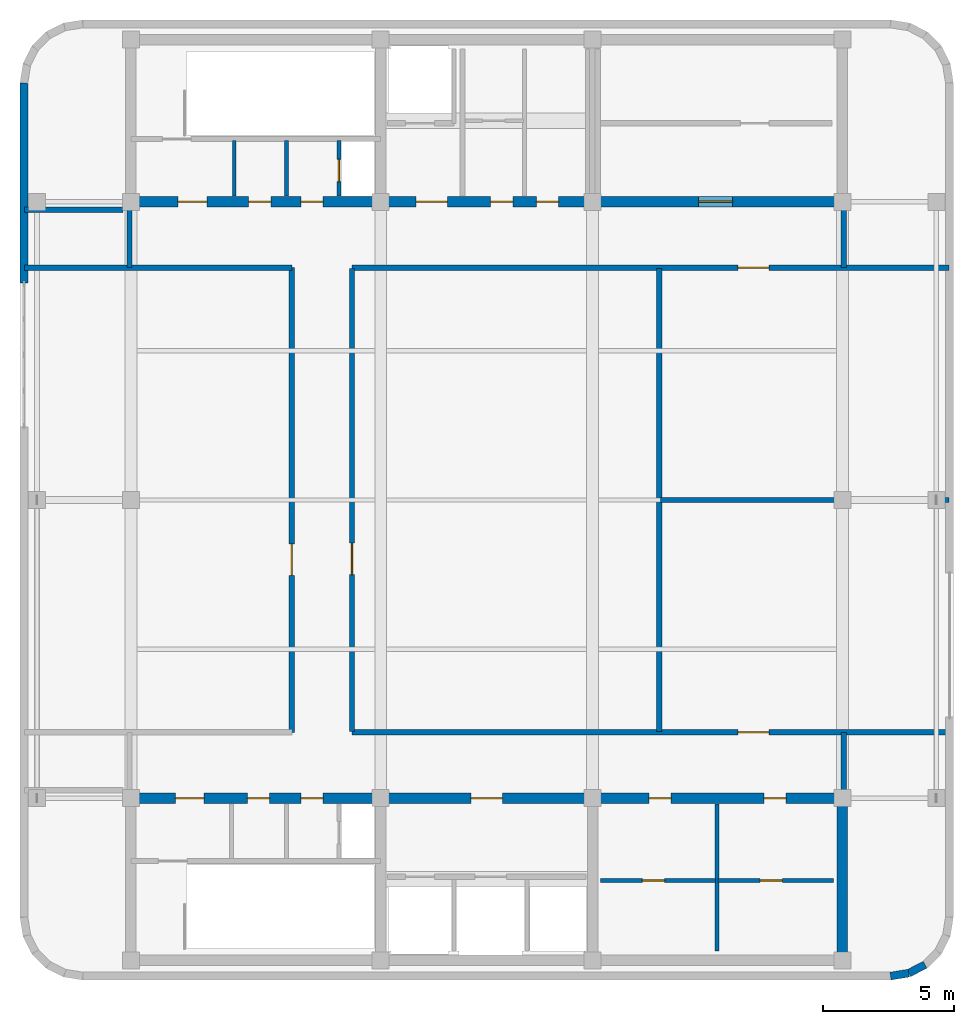
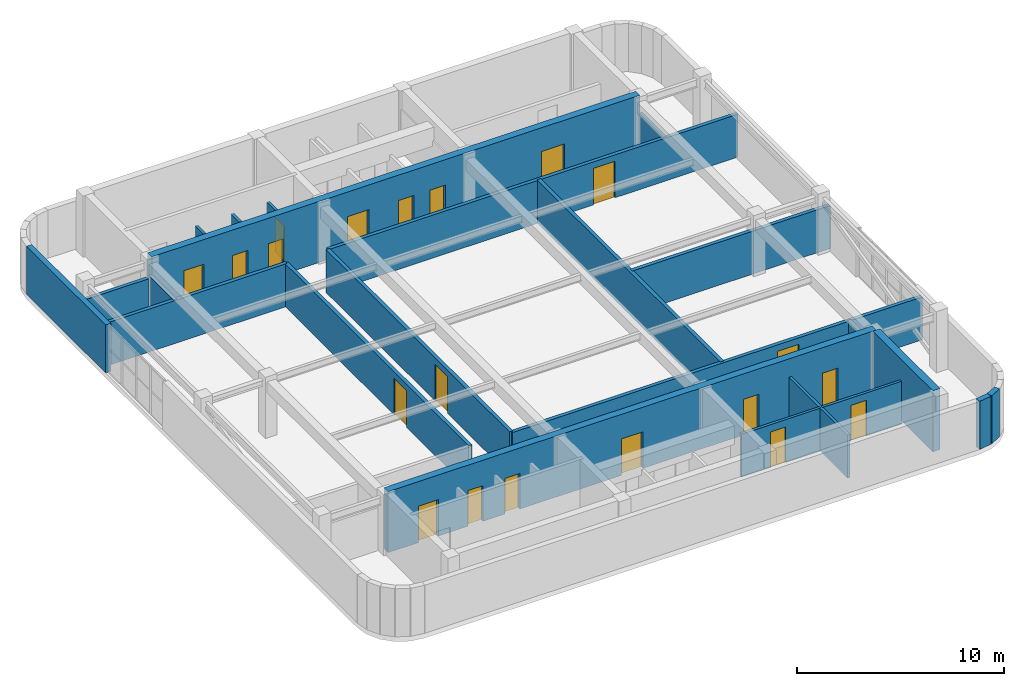
# One storey, part 5 of 9: 23 walls, 20 doors, 20 openings.
"""IFC4 building model written with IfcOpenShell, lengths in metres."""

from ifc_helpers import new_model, si_unit, direction, frame, frame_2d, origin, place, context, subcontext, project, spatial, rectangle, extrude, material, layer, layer_set, type_object, element, fill, save


model = new_model("IFC4")

# Units and contexts
model_context = context("Model", 3, precision=1e-05, world=origin(), true_north=direction((0.0, 1.0)))
body_context = subcontext(model_context, "Body", "Model", "MODEL_VIEW")
ifc_project = project(units=[si_unit("LENGTHUNIT", "METRE"), si_unit("AREAUNIT", "SQUARE_METRE"), si_unit("VOLUMEUNIT", "CUBIC_METRE"), si_unit("PLANEANGLEUNIT", "RADIAN"), si_unit("MASSUNIT", "GRAM", prefix="KILO")], contexts=[model_context])

# Site, building, storey
site_placement = place(None, origin())
site = spatial("IfcSite", under=ifc_project, at=site_placement, CompositionType="ELEMENT")
building_placement = place(site_placement, origin())
building = spatial("IfcBuilding", under=site, at=building_placement, Name="Svetorya Sky Lyceum", CompositionType="ELEMENT")
storey_placement = place(building_placement, frame((0.0, 0.0, 320.0)))
storey = spatial("IfcBuildingStorey", under=building, at=storey_placement, Name="C06", CompositionType="ELEMENT", Elevation=320.0)

# Wall
ifc_material_1 = material(Name="Concrete C40/50", Category="concrete")
ifc_layer_1 = layer(ifc_material_1, 0.39990234375)
ifc_layer_set_1 = layer_set([ifc_layer_1], Name="Concrete C40/50")
wall_type_1 = type_object("IfcWallType", Name="WL-CORE-400", PredefinedType="SHEAR", material=ifc_layer_set_1)
wall_1_placement = place(storey_placement, frame((52.800048828125, 10.800048828125, 0.0), z_axis=(0.0, 0.0, 1.0), x_axis=(0.0, 1.0, 0.0)))
element("IfcWall", 1, at=wall_1_placement, inside=storey, type_object=wall_type_1, Name="C06 SC East Core Shear Wall", PredefinedType="SHEAR", context=body_context, shape_type="SweptSolid", body=[
    extrude(rectangle(XDim=5.800048828125, YDim=0.39990234375, at=frame_2d((2.89990234375, 0.0))), origin(), (0.0, 0.0, 1.0), 3.60009765625),
])

# Wall, openings, doors
wall_2_placement = place(storey_placement, frame((25.60009765625, 16.800048828125, 0.0), z_axis=(0.0, 0.0, 1.0), x_axis=(1.0, 0.0, 0.0)))
wall_2 = element("IfcWall", 2, at=wall_2_placement, inside=storey, type_object=wall_type_1, Name="C06 SC Inner Core Shear Wall", PredefinedType="SHEAR", context=body_context, shape_type="SweptSolid", body=[
    extrude(rectangle(XDim=27.199951171875, YDim=0.39990234375, at=frame_2d((13.60009765625, 0.0))), origin(), (0.0, 0.0, 1.0), 3.60009765625),
])
opening_1_placement = place(wall_2_placement, frame((1.699951171875, 0.0, 0.0)))
opening_1 = element("IfcOpeningElement", 3, at=opening_1_placement, cuts=wall_2, Name="Opening D-ST1", PredefinedType="OPENING", context=body_context, shape_type="SweptSolid", body=[
    extrude(rectangle(XDim=1.10009765625, YDim=2.14990234375, at=frame_2d((0.550048828125, 1.074951171875))), frame((0.0, 0.2099609375, 0.0), z_axis=(0.0, -1.0, 0.0), x_axis=(1.0, 0.0, 0.0)), (0.0, 0.0, 1.0), 0.419921875),
])
opening_2_placement = place(wall_2_placement, frame((4.449951171875, 0.0, 0.0)))
opening_2 = element("IfcOpeningElement", 4, at=opening_2_placement, cuts=wall_2, Name="Opening D-CWC1", PredefinedType="OPENING", context=body_context, shape_type="SweptSolid", body=[
    extrude(rectangle(XDim=0.85009765625, YDim=2.10009765625, at=frame_2d((0.425048828125, 1.050048828125))), frame((0.0, 0.2099609375, 0.0), z_axis=(0.0, -1.0, 0.0), x_axis=(1.0, 0.0, 0.0)), (0.0, 0.0, 1.0), 0.419921875),
])
opening_3_placement = place(wall_2_placement, frame((6.5, 0.0, 0.0)))
opening_3 = element("IfcOpeningElement", 5, at=opening_3_placement, cuts=wall_2, Name="Opening D-CWC1", PredefinedType="OPENING", context=body_context, shape_type="SweptSolid", body=[
    extrude(rectangle(XDim=0.85009765625, YDim=2.10009765625, at=frame_2d((0.425048828125, 1.050048828125))), frame((0.0, 0.2099609375, 0.0), z_axis=(0.0, -1.0, 0.0), x_axis=(1.0, 0.0, 0.0)), (0.0, 0.0, 1.0), 0.419921875),
])
opening_4_placement = place(wall_2_placement, frame((13.0, 0.0, 0.0)))
opening_4 = element("IfcOpeningElement", 6, at=opening_4_placement, cuts=wall_2, Name="Opening D-FL1", PredefinedType="OPENING", context=body_context, shape_type="SweptSolid", body=[
    extrude(rectangle(XDim=1.199951171875, YDim=2.14990234375, at=frame_2d((0.60009765625, 1.074951171875))), frame((0.0, 0.2099609375, 0.0), z_axis=(0.0, -1.0, 0.0), x_axis=(1.0, 0.0, 0.0)), (0.0, 0.0, 1.0), 0.419921875),
])
opening_5_placement = place(wall_2_placement, frame((19.800048828125, 0.0, 0.0)))
opening_5 = element("IfcOpeningElement", 7, at=opening_5_placement, cuts=wall_2, Name="Opening D-CWC1", PredefinedType="OPENING", context=body_context, shape_type="SweptSolid", body=[
    extrude(rectangle(XDim=0.85009765625, YDim=2.10009765625, at=frame_2d((0.425048828125, 1.050048828125))), frame((0.0, 0.2099609375, 0.0), z_axis=(0.0, -1.0, 0.0), x_axis=(1.0, 0.0, 0.0)), (0.0, 0.0, 1.0), 0.419921875),
])
opening_6_placement = place(wall_2_placement, frame((24.199951171875, 0.0, 0.0)))
opening_6 = element("IfcOpeningElement", 8, at=opening_6_placement, cuts=wall_2, Name="Opening D-CWC1", PredefinedType="OPENING", context=body_context, shape_type="SweptSolid", body=[
    extrude(rectangle(XDim=0.85009765625, YDim=2.10009765625, at=frame_2d((0.425048828125, 1.050048828125))), frame((0.0, 0.2099609375, 0.0), z_axis=(0.0, -1.0, 0.0), x_axis=(1.0, 0.0, 0.0)), (0.0, 0.0, 1.0), 0.419921875),
])
ifc_material_2 = material(Name="Fire-rated galvanized steel core service closet door", Category="steel")
door_type_1 = type_object("IfcDoorType", Name="DR-CWET-850", OperationType="SINGLE_SWING_LEFT", PredefinedType="DOOR", material=ifc_material_2)
door_1_placement = place(opening_2_placement, origin())
door_1 = element("IfcDoor", 9, at=door_1_placement, inside=storey, type_object=door_type_1, Name="C06 South Mop Closet Door", OperationType="SINGLE_SWING_LEFT", OverallHeight=2.10009765625, OverallWidth=0.85009765625, PredefinedType="DOOR", context=body_context, shape_type="SweptSolid", body=[
    extrude(rectangle(XDim=0.85009765625, YDim=2.10009765625, at=frame_2d((0.425048828125, 1.050048828125))), frame((0.0, 0.02490234375, 0.0), z_axis=(0.0, -1.0, 0.0), x_axis=(1.0, 0.0, 0.0)), (0.0, 0.0, 1.0), 0.050048828125),
])
fill(opening_2, door_1)
door_2_placement = place(opening_3_placement, origin())
door_2 = element("IfcDoor", 10, at=door_2_placement, inside=storey, type_object=door_type_1, Name="C06 South West WC Door", OperationType="SINGLE_SWING_RIGHT", OverallHeight=2.10009765625, OverallWidth=0.85009765625, PredefinedType="DOOR", context=body_context, shape_type="SweptSolid", body=[
    extrude(rectangle(XDim=0.85009765625, YDim=2.10009765625, at=frame_2d((0.425048828125, 1.050048828125))), frame((0.0, 0.02490234375, 0.0), z_axis=(0.0, -1.0, 0.0), x_axis=(1.0, 0.0, 0.0)), (0.0, 0.0, 1.0), 0.050048828125),
])
fill(opening_3, door_2)
door_3_placement = place(opening_5_placement, origin())
door_3 = element("IfcDoor", 11, at=door_3_placement, inside=storey, type_object=door_type_1, Name="C06 Housekeeping Door", OperationType="SINGLE_SWING_LEFT", OverallHeight=2.10009765625, OverallWidth=0.85009765625, PredefinedType="DOOR", context=body_context, shape_type="SweptSolid", body=[
    extrude(rectangle(XDim=0.85009765625, YDim=2.10009765625, at=frame_2d((0.425048828125, 1.050048828125))), frame((0.0, 0.02490234375, 0.0), z_axis=(0.0, -1.0, 0.0), x_axis=(1.0, 0.0, 0.0)), (0.0, 0.0, 1.0), 0.050048828125),
])
fill(opening_5, door_3)
door_4_placement = place(opening_6_placement, origin())
door_4 = element("IfcDoor", 12, at=door_4_placement, inside=storey, type_object=door_type_1, Name="C06 South WC Door", OperationType="SINGLE_SWING_RIGHT", OverallHeight=2.10009765625, OverallWidth=0.85009765625, PredefinedType="DOOR", context=body_context, shape_type="SweptSolid", body=[
    extrude(rectangle(XDim=0.85009765625, YDim=2.10009765625, at=frame_2d((0.425048828125, 1.050048828125))), frame((0.0, 0.02490234375, 0.0), z_axis=(0.0, -1.0, 0.0), x_axis=(1.0, 0.0, 0.0)), (0.0, 0.0, 1.0), 0.050048828125),
])
fill(opening_6, door_4)
ifc_material_3 = material(Name="Powder-coated insulated galvanized stair fire door")
door_type_2 = type_object("IfcDoorType", Name="DR-FIRE-1100", OperationType="SINGLE_SWING_LEFT", PredefinedType="DOOR", material=ifc_material_3)
door_5_placement = place(opening_1_placement, origin())
door_5 = element("IfcDoor", 13, at=door_5_placement, inside=storey, type_object=door_type_2, Name="C06 South Stair Airlock Door", OperationType="SINGLE_SWING_RIGHT", OverallHeight=2.14990234375, OverallWidth=1.10009765625, PredefinedType="DOOR", context=body_context, shape_type="SweptSolid", body=[
    extrude(rectangle(XDim=1.10009765625, YDim=2.14990234375, at=frame_2d((0.550048828125, 1.074951171875))), frame((0.0, 0.02490234375, 0.0), z_axis=(0.0, -1.0, 0.0), x_axis=(1.0, 0.0, 0.0)), (0.0, 0.0, 1.0), 0.050048828125),
])
fill(opening_1, door_5)
ifc_material_4 = material(Name="Powder-coated insulated galvanized fire door")
door_type_3 = type_object("IfcDoorType", Name="DR-FIRE-1200", OperationType="SINGLE_SWING_LEFT", PredefinedType="DOOR", material=ifc_material_4)
door_6_placement = place(opening_4_placement, origin())
door_6 = element("IfcDoor", 14, at=door_6_placement, inside=storey, type_object=door_type_3, Name="C06 South Firefighting Lift Lobby Door", OperationType="SINGLE_SWING_LEFT", OverallHeight=2.14990234375, OverallWidth=1.199951171875, PredefinedType="DOOR", context=body_context, shape_type="SweptSolid", body=[
    extrude(rectangle(XDim=1.199951171875, YDim=2.14990234375, at=frame_2d((0.60009765625, 1.074951171875))), frame((0.0, 0.02490234375, 0.0), z_axis=(0.0, -1.0, 0.0), x_axis=(1.0, 0.0, 0.0)), (0.0, 0.0, 1.0), 0.050048828125),
])
fill(opening_4, door_6)

wall_3_placement = place(storey_placement, frame((52.800048828125, 39.60009765625, 0.0), z_axis=(0.0, 0.0, 1.0), x_axis=(-1.0, 0.0, 0.0)))
wall_3 = element("IfcWall", 15, at=wall_3_placement, inside=storey, type_object=wall_type_1, Name="C06 NC Inner Core Shear Wall", PredefinedType="SHEAR", context=body_context, shape_type="SweptSolid", body=[
    extrude(rectangle(XDim=27.199951171875, YDim=0.39990234375, at=frame_2d((13.60009765625, 0.0))), origin(), (0.0, 0.0, 1.0), 3.60009765625),
])
opening_7_placement = place(wall_3_placement, frame((24.300048828125, 0.0, 0.0)))
opening_7 = element("IfcOpeningElement", 16, at=opening_7_placement, cuts=wall_3, Name="Opening D-ST1", PredefinedType="OPENING", context=body_context, shape_type="SweptSolid", body=[
    extrude(rectangle(XDim=1.10009765625, YDim=2.14990234375, at=frame_2d((0.550048828125, 1.074951171875))), frame((0.0, 0.2099609375, 0.0), z_axis=(0.0, -1.0, 0.0), x_axis=(1.0, 0.0, 0.0)), (0.0, 0.0, 1.0), 0.419921875),
])
opening_8_placement = place(wall_3_placement, frame((21.85009765625, 0.0, 0.0)))
opening_8 = element("IfcOpeningElement", 17, at=opening_8_placement, cuts=wall_3, Name="Opening D-CWC1", PredefinedType="OPENING", context=body_context, shape_type="SweptSolid", body=[
    extrude(rectangle(XDim=0.85009765625, YDim=2.10009765625, at=frame_2d((0.425048828125, 1.050048828125))), frame((0.0, 0.2099609375, 0.0), z_axis=(0.0, -1.0, 0.0), x_axis=(1.0, 0.0, 0.0)), (0.0, 0.0, 1.0), 0.419921875),
])
opening_9_placement = place(wall_3_placement, frame((19.85009765625, 0.0, 0.0)))
opening_9 = element("IfcOpeningElement", 18, at=opening_9_placement, cuts=wall_3, Name="Opening D-CWC1", PredefinedType="OPENING", context=body_context, shape_type="SweptSolid", body=[
    extrude(rectangle(XDim=0.85009765625, YDim=2.10009765625, at=frame_2d((0.425048828125, 1.050048828125))), frame((0.0, 0.2099609375, 0.0), z_axis=(0.0, -1.0, 0.0), x_axis=(1.0, 0.0, 0.0)), (0.0, 0.0, 1.0), 0.419921875),
])
opening_10_placement = place(wall_3_placement, frame((15.10009765625, 0.0, 0.0)))
opening_10 = element("IfcOpeningElement", 19, at=opening_10_placement, cuts=wall_3, Name="Opening D-FL1", PredefinedType="OPENING", context=body_context, shape_type="SweptSolid", body=[
    extrude(rectangle(XDim=1.199951171875, YDim=2.14990234375, at=frame_2d((0.60009765625, 1.074951171875))), frame((0.0, 0.2099609375, 0.0), z_axis=(0.0, -1.0, 0.0), x_axis=(1.0, 0.0, 0.0)), (0.0, 0.0, 1.0), 0.419921875),
])
opening_11_placement = place(wall_3_placement, frame((12.60009765625, 0.0, 0.0)))
opening_11 = element("IfcOpeningElement", 20, at=opening_11_placement, cuts=wall_3, Name="Opening D-CWC1", PredefinedType="OPENING", context=body_context, shape_type="SweptSolid", body=[
    extrude(rectangle(XDim=0.85009765625, YDim=2.10009765625, at=frame_2d((0.425048828125, 1.050048828125))), frame((0.0, 0.2099609375, 0.0), z_axis=(0.0, -1.0, 0.0), x_axis=(1.0, 0.0, 0.0)), (0.0, 0.0, 1.0), 0.419921875),
])
opening_12_placement = place(wall_3_placement, frame((10.85009765625, 0.0, 0.0)))
opening_12 = element("IfcOpeningElement", 21, at=opening_12_placement, cuts=wall_3, Name="Opening D-CWC1", PredefinedType="OPENING", context=body_context, shape_type="SweptSolid", body=[
    extrude(rectangle(XDim=0.85009765625, YDim=2.10009765625, at=frame_2d((0.425048828125, 1.050048828125))), frame((0.0, 0.2099609375, 0.0), z_axis=(0.0, -1.0, 0.0), x_axis=(1.0, 0.0, 0.0)), (0.0, 0.0, 1.0), 0.419921875),
])
opening_13_placement = place(wall_3_placement, frame((4.199951171875, 0.0, 0.0)))
opening_13 = element("IfcOpeningElement", 22, at=opening_13_placement, cuts=wall_3, Name="Opening D-LB1", PredefinedType="OPENING", context=body_context, shape_type="SweptSolid", body=[
    extrude(rectangle(XDim=1.300048828125, YDim=2.199951171875, at=frame_2d((0.64990234375, 1.10009765625))), frame((0.0, 0.2099609375, 0.0), z_axis=(0.0, -1.0, 0.0), x_axis=(1.0, 0.0, 0.0)), (0.0, 0.0, 1.0), 0.419921875),
])
door_7_placement = place(opening_8_placement, origin())
door_7 = element("IfcDoor", 23, at=door_7_placement, inside=storey, type_object=door_type_1, Name="C06 North Cleaner Door", OperationType="SINGLE_SWING_RIGHT", OverallHeight=2.10009765625, OverallWidth=0.85009765625, PredefinedType="DOOR", context=body_context, shape_type="SweptSolid", body=[
    extrude(rectangle(XDim=0.85009765625, YDim=2.10009765625, at=frame_2d((0.425048828125, 1.050048828125))), frame((0.0, 0.02490234375, 0.0), z_axis=(0.0, -1.0, 0.0), x_axis=(1.0, 0.0, 0.0)), (0.0, 0.0, 1.0), 0.050048828125),
])
fill(opening_8, door_7)
door_8_placement = place(opening_9_placement, origin())
door_8 = element("IfcDoor", 24, at=door_8_placement, inside=storey, type_object=door_type_1, Name="C06 North Meter Door", OperationType="SINGLE_SWING_LEFT", OverallHeight=2.10009765625, OverallWidth=0.85009765625, PredefinedType="DOOR", context=body_context, shape_type="SweptSolid", body=[
    extrude(rectangle(XDim=0.85009765625, YDim=2.10009765625, at=frame_2d((0.425048828125, 1.050048828125))), frame((0.0, 0.02490234375, 0.0), z_axis=(0.0, -1.0, 0.0), x_axis=(1.0, 0.0, 0.0)), (0.0, 0.0, 1.0), 0.050048828125),
])
fill(opening_9, door_8)
door_9_placement = place(opening_11_placement, origin())
door_9 = element("IfcDoor", 25, at=door_9_placement, inside=storey, type_object=door_type_1, Name="C06 Cleaner Vestibule Door", OperationType="SINGLE_SWING_LEFT", OverallHeight=2.10009765625, OverallWidth=0.85009765625, PredefinedType="DOOR", context=body_context, shape_type="SweptSolid", body=[
    extrude(rectangle(XDim=0.85009765625, YDim=2.10009765625, at=frame_2d((0.425048828125, 1.050048828125))), frame((0.0, 0.02490234375, 0.0), z_axis=(0.0, -1.0, 0.0), x_axis=(1.0, 0.0, 0.0)), (0.0, 0.0, 1.0), 0.050048828125),
])
fill(opening_11, door_9)
door_10_placement = place(opening_12_placement, origin())
door_10 = element("IfcDoor", 26, at=door_10_placement, inside=storey, type_object=door_type_1, Name="C06 Upper Pram Store Door", OperationType="SINGLE_SWING_RIGHT", OverallHeight=2.10009765625, OverallWidth=0.85009765625, PredefinedType="DOOR", context=body_context, shape_type="SweptSolid", body=[
    extrude(rectangle(XDim=0.85009765625, YDim=2.10009765625, at=frame_2d((0.425048828125, 1.050048828125))), frame((0.0, 0.02490234375, 0.0), z_axis=(0.0, -1.0, 0.0), x_axis=(1.0, 0.0, 0.0)), (0.0, 0.0, 1.0), 0.050048828125),
])
fill(opening_12, door_10)
door_11_placement = place(opening_7_placement, origin())
door_11 = element("IfcDoor", 27, at=door_11_placement, inside=storey, type_object=door_type_2, Name="C06 North Stair Airlock Door", OperationType="SINGLE_SWING_LEFT", OverallHeight=2.14990234375, OverallWidth=1.10009765625, PredefinedType="DOOR", context=body_context, shape_type="SweptSolid", body=[
    extrude(rectangle(XDim=1.10009765625, YDim=2.14990234375, at=frame_2d((0.550048828125, 1.074951171875))), frame((0.0, 0.02490234375, 0.0), z_axis=(0.0, -1.0, 0.0), x_axis=(1.0, 0.0, 0.0)), (0.0, 0.0, 1.0), 0.050048828125),
])
fill(opening_7, door_11)
door_12_placement = place(opening_10_placement, origin())
door_12 = element("IfcDoor", 28, at=door_12_placement, inside=storey, type_object=door_type_3, Name="C06 North Firefighting Lift Lobby Door", OperationType="SINGLE_SWING_RIGHT", OverallHeight=2.14990234375, OverallWidth=1.199951171875, PredefinedType="DOOR", context=body_context, shape_type="SweptSolid", body=[
    extrude(rectangle(XDim=1.199951171875, YDim=2.14990234375, at=frame_2d((0.60009765625, 1.074951171875))), frame((0.0, 0.02490234375, 0.0), z_axis=(0.0, -1.0, 0.0), x_axis=(1.0, 0.0, 0.0)), (0.0, 0.0, 1.0), 0.050048828125),
])
fill(opening_10, door_12)
ifc_material_5 = material(Name="Glazed fire-rated aluminium lobby door", Category="aluminium")
door_type_4 = type_object("IfcDoorType", Name="DR-LOB-1300", OperationType="SINGLE_SWING_LEFT", PredefinedType="DOOR", material=ifc_material_5)
door_13_placement = place(opening_13_placement, origin())
door_13 = element("IfcDoor", 29, at=door_13_placement, inside=storey, type_object=door_type_4, Name="C06 Crown Access Lobby Door", OperationType="SINGLE_SWING_LEFT", OverallHeight=2.199951171875, OverallWidth=1.300048828125, PredefinedType="DOOR", context=body_context, shape_type="SweptSolid", body=[
    extrude(rectangle(XDim=1.300048828125, YDim=2.199951171875, at=frame_2d((0.64990234375, 1.10009765625))), frame((0.0, 0.02490234375, 0.0), z_axis=(0.0, -1.0, 0.0), x_axis=(1.0, 0.0, 0.0)), (0.0, 0.0, 1.0), 0.050048828125),
])
fill(opening_13, door_13)

# Walls
ifc_material_6 = material(Name="Putilovo limestone rainscreen on autoclaved cellular masonry", Category="masonry")
ifc_layer_2 = layer(ifc_material_6, 0.300048828125)
ifc_layer_set_2 = layer_set([ifc_layer_2], Name="Putilovo limestone rainscreen on autoclaved cellular masonry")
wall_type_2 = type_object("IfcWallType", Name="WL-EXT-300", PredefinedType="SOLIDWALL", material=ifc_layer_set_2)
for number, where, z_axis, x_axis, name in (
    (30, (54.639892578125, 10.0, 0.0), (0.0, 0.0, 1.0), (0.987692567255, 0.156407776626, 0.0), "C06 Limestone Exterior Wall 7M"),
    (31, (55.335205078125, 10.110107421875, 0.0), (0.0, 0.0, 1.0), (0.891002438725, 0.453998517824, 0.0), "C06 Limestone Exterior Wall 8M"),
):
    element("IfcWall", number, at=place(storey_placement, frame(where, z_axis=z_axis, x_axis=x_axis)), inside=storey, type_object=wall_type_2, Name=name, PredefinedType="SOLIDWALL", context=body_context, shape_type="SweptSolid", body=[
        extrude(rectangle(XDim=0.703857421875, YDim=0.300048828125, at=frame_2d((0.35205078125, 0.0))), origin(), (0.0, 0.0, 1.0), 2.830078125),
    ])
wall_4_placement = place(storey_placement, frame((21.510009765625, 44.14990234375, 0.0), z_axis=(0.0, 0.0, 1.0), x_axis=(0.0, -1.0, 0.0)))
element("IfcWall", 32, at=wall_4_placement, inside=storey, type_object=wall_type_2, Name="C06 Limestone Exterior Wall 24A", PredefinedType="SOLIDWALL", context=body_context, shape_type="SweptSolid", body=[
    extrude(rectangle(XDim=7.64990234375, YDim=0.300048828125, at=frame_2d((3.824951171875, 0.0))), origin(), (0.0, 0.0, 1.0), 2.830078125),
])
ifc_material_7 = material(Name="Autoclaved cellular masonry blockwork with acoustic render", Category="masonry")
ifc_layer_3 = layer(ifc_material_7, 0.14990234375)
ifc_layer_set_3 = layer_set([ifc_layer_3], Name="Autoclaved cellular masonry blockwork with acoustic render")
wall_type_3 = type_object("IfcWallType", Name="WL-PART-150", PredefinedType="PARTITIONING", material=ifc_layer_set_3)
wall_5_placement = place(storey_placement, frame((48.0, 10.949951171875, 0.0), z_axis=(0.0, 0.0, 1.0), x_axis=(0.0, 1.0, 0.0)))
element("IfcWall", 33, at=wall_5_placement, inside=storey, type_object=wall_type_3, Name="C06 Interior Partition SC-LV7-V", PredefinedType="PARTITIONING", context=body_context, shape_type="SweptSolid", body=[
    extrude(rectangle(XDim=5.630126953125, YDim=0.14990234375, at=frame_2d((2.81494140625, 0.0))), origin(), (0.0, 0.0, 1.0), 2.530029296875),
])

# Wall, opening, door
wall_6_placement = place(storey_placement, frame((43.550048828125, 13.64990234375, 0.0), z_axis=(0.0, 0.0, 1.0), x_axis=(1.0, 0.0, 0.0)))
wall_6 = element("IfcWall", 34, at=wall_6_placement, inside=storey, type_object=wall_type_3, Name="C06 Interior Partition SC-LV7-HW", PredefinedType="PARTITIONING", context=body_context, shape_type="SweptSolid", body=[
    extrude(rectangle(XDim=4.39990234375, YDim=0.14990234375, at=frame_2d((2.199951171875, 0.0))), origin(), (0.0, 0.0, 1.0), 2.530029296875),
])
opening_14_placement = place(wall_6_placement, frame((1.60009765625, 0.0, 0.0)))
opening_14 = element("IfcOpeningElement", 35, at=opening_14_placement, cuts=wall_6, Name="Opening D-CWC1", PredefinedType="OPENING", context=body_context, shape_type="SweptSolid", body=[
    extrude(rectangle(XDim=0.85009765625, YDim=2.10009765625, at=frame_2d((0.425048828125, 1.050048828125))), frame((0.0, 0.0849609375, 0.0), z_axis=(0.0, -1.0, 0.0), x_axis=(1.0, 0.0, 0.0)), (0.0, 0.0, 1.0), 0.169921875),
])
door_14_placement = place(opening_14_placement, origin())
door_14 = element("IfcDoor", 36, at=door_14_placement, inside=storey, type_object=door_type_1, Name="C06 South Electrical Room Door", OperationType="SINGLE_SWING_LEFT", OverallHeight=2.10009765625, OverallWidth=0.85009765625, PredefinedType="DOOR", context=body_context, shape_type="SweptSolid", body=[
    extrude(rectangle(XDim=0.85009765625, YDim=2.10009765625, at=frame_2d((0.425048828125, 1.050048828125))), frame((0.0, 0.02490234375, 0.0), z_axis=(0.0, -1.0, 0.0), x_axis=(1.0, 0.0, 0.0)), (0.0, 0.0, 1.0), 0.050048828125),
])
fill(opening_14, door_14)

wall_7_placement = place(storey_placement, frame((48.050048828125, 13.64990234375, 0.0), z_axis=(0.0, 0.0, 1.0), x_axis=(1.0, 0.0, 0.0)))
wall_7 = element("IfcWall", 37, at=wall_7_placement, inside=storey, type_object=wall_type_3, Name="C06 Interior Partition SC-LV7-HE", PredefinedType="PARTITIONING", context=body_context, shape_type="SweptSolid", body=[
    extrude(rectangle(XDim=4.39990234375, YDim=0.14990234375, at=frame_2d((2.199951171875, 0.0))), origin(), (0.0, 0.0, 1.0), 2.530029296875),
])
opening_15_placement = place(wall_7_placement, frame((1.60009765625, 0.0, 0.0)))
opening_15 = element("IfcOpeningElement", 38, at=opening_15_placement, cuts=wall_7, Name="Opening D-CWC1", PredefinedType="OPENING", context=body_context, shape_type="SweptSolid", body=[
    extrude(rectangle(XDim=0.85009765625, YDim=2.10009765625, at=frame_2d((0.425048828125, 1.050048828125))), frame((0.0, 0.0849609375, 0.0), z_axis=(0.0, -1.0, 0.0), x_axis=(1.0, 0.0, 0.0)), (0.0, 0.0, 1.0), 0.169921875),
])
door_15_placement = place(opening_15_placement, origin())
door_15 = element("IfcDoor", 39, at=door_15_placement, inside=storey, type_object=door_type_1, Name="C06 South Server Closet Door", OperationType="SINGLE_SWING_RIGHT", OverallHeight=2.10009765625, OverallWidth=0.85009765625, PredefinedType="DOOR", context=body_context, shape_type="SweptSolid", body=[
    extrude(rectangle(XDim=0.85009765625, YDim=2.10009765625, at=frame_2d((0.425048828125, 1.050048828125))), frame((0.0, 0.02490234375, 0.0), z_axis=(0.0, -1.0, 0.0), x_axis=(1.0, 0.0, 0.0)), (0.0, 0.0, 1.0), 0.050048828125),
])
fill(opening_15, door_15)

wall_8_placement = place(storey_placement, frame((33.550048828125, 39.820068359375, 0.0), z_axis=(0.0, 0.0, 1.0), x_axis=(0.0, 1.0, 0.0)))
wall_8 = element("IfcWall", 40, at=wall_8_placement, inside=storey, type_object=wall_type_3, Name="C06 Interior Partition NC-RSRW", PredefinedType="PARTITIONING", context=body_context, shape_type="SweptSolid", body=[
    extrude(rectangle(XDim=2.1298828125, YDim=0.14990234375, at=frame_2d((1.06494140625, 0.0))), origin(), (0.0, 0.0, 1.0), 2.530029296875),
])
opening_16_placement = place(wall_8_placement, frame((0.550048828125, 0.0, 0.0)))
opening_16 = element("IfcOpeningElement", 41, at=opening_16_placement, cuts=wall_8, Name="Opening D-SH1", PredefinedType="OPENING", context=body_context, shape_type="SweptSolid", body=[
    extrude(rectangle(XDim=0.85009765625, YDim=2.050048828125, at=frame_2d((0.425048828125, 1.02490234375))), frame((0.0, 0.0849609375, 0.0), z_axis=(0.0, -1.0, 0.0), x_axis=(1.0, 0.0, 0.0)), (0.0, 0.0, 1.0), 0.169921875),
])
ifc_material_8 = material(Name="Insulated galvanized riser inspection fire door")
door_type_5 = type_object("IfcDoorType", Name="DR-SHFT-850", OperationType="SINGLE_SWING_LEFT", PredefinedType="TRAPDOOR", material=ifc_material_8)
door_16_placement = place(opening_16_placement, origin())
door_16 = element("IfcDoor", 42, at=door_16_placement, inside=storey, type_object=door_type_5, Name="C06 North Riser Access Door", OperationType="SINGLE_SWING_LEFT", OverallHeight=2.050048828125, OverallWidth=0.85009765625, PredefinedType="TRAPDOOR", context=body_context, shape_type="SweptSolid", body=[
    extrude(rectangle(XDim=0.85009765625, YDim=2.050048828125, at=frame_2d((0.425048828125, 1.02490234375))), frame((0.0, 0.02490234375, 0.0), z_axis=(0.0, -1.0, 0.0), x_axis=(1.0, 0.0, 0.0)), (0.0, 0.0, 1.0), 0.050048828125),
])
fill(opening_16, door_16)

# Walls
for number, where, z_axis, x_axis, name in (
    (43, (29.550048828125, 39.820068359375, 0.0), (0.0, 0.0, 1.0), (0.0, 1.0, 0.0), "C06 Interior Partition NC-NWD1"),
    (44, (31.550048828125, 39.820068359375, 0.0), (0.0, 0.0, 1.0), (0.0, 1.0, 0.0), "C06 Interior Partition NC-NWD2"),
):
    element("IfcWall", number, at=place(storey_placement, frame(where, z_axis=z_axis, x_axis=x_axis)), inside=storey, type_object=wall_type_3, Name=name, PredefinedType="PARTITIONING", context=body_context, shape_type="SweptSolid", body=[
        extrude(rectangle(XDim=2.1298828125, YDim=0.14990234375, at=frame_2d((1.06494140625, 0.0))), origin(), (0.0, 0.0, 1.0), 2.530029296875),
    ])
ifc_material_9 = material(Name="Autoclaved cellular masonry blockwork with gypsum plaster", Category="masonry")
ifc_layer_4 = layer(ifc_material_9, 0.199951171875)
ifc_layer_set_4 = layer_set([ifc_layer_4], Name="Autoclaved cellular masonry blockwork with gypsum plaster")
wall_type_4 = type_object("IfcWallType", Name="WL-PART-200", PredefinedType="PARTITIONING", material=ifc_layer_set_4)
wall_9_placement = place(storey_placement, frame((21.530029296875, 37.080078125, 0.0), z_axis=(0.0, 0.0, 1.0), x_axis=(1.0, 0.0, 0.0)))
element("IfcWall", 45, at=wall_9_placement, inside=storey, type_object=wall_type_4, Name="C06 Interior Partition PL-NW", PredefinedType="PARTITIONING", context=body_context, shape_type="SweptSolid", body=[
    extrude(rectangle(XDim=10.219970703125, YDim=0.199951171875, at=frame_2d((5.10986328125, 0.0))), origin(), (0.0, 0.0, 1.0), 2.530029296875),
])

# Wall, opening, door
wall_10_placement = place(storey_placement, frame((31.75, 19.320068359375, 0.0), z_axis=(0.0, 0.0, 1.0), x_axis=(0.0, 1.0, 0.0)))
wall_10 = element("IfcWall", 46, at=wall_10_placement, inside=storey, type_object=wall_type_4, Name="C06 Interior Partition PL-W1", PredefinedType="PARTITIONING", context=body_context, shape_type="SweptSolid", body=[
    extrude(rectangle(XDim=17.760009765625, YDim=0.199951171875, at=frame_2d((8.8798828125, 0.0))), origin(), (0.0, 0.0, 1.0), 2.530029296875),
])
opening_17_placement = place(wall_10_placement, frame((6.0, 0.0, 0.0)))
opening_17 = element("IfcOpeningElement", 47, at=opening_17_placement, cuts=wall_10, Name="Opening D-FL1", PredefinedType="OPENING", context=body_context, shape_type="SweptSolid", body=[
    extrude(rectangle(XDim=1.199951171875, YDim=2.14990234375, at=frame_2d((0.60009765625, 1.074951171875))), frame((0.0, 0.10986328125, 0.0), z_axis=(0.0, -1.0, 0.0), x_axis=(1.0, 0.0, 0.0)), (0.0, 0.0, 1.0), 0.219970703125),
])
door_17_placement = place(opening_17_placement, origin())
door_17 = element("IfcDoor", 48, at=door_17_placement, inside=storey, type_object=door_type_3, Name="C06 West Plant Door", OperationType="SINGLE_SWING_LEFT", OverallHeight=2.14990234375, OverallWidth=1.199951171875, PredefinedType="DOOR", context=body_context, shape_type="SweptSolid", body=[
    extrude(rectangle(XDim=1.199951171875, YDim=2.14990234375, at=frame_2d((0.60009765625, 1.074951171875))), frame((0.0, 0.02490234375, 0.0), z_axis=(0.0, -1.0, 0.0), x_axis=(1.0, 0.0, 0.0)), (0.0, 0.0, 1.0), 0.050048828125),
])
fill(opening_17, door_17)

wall_11_placement = place(storey_placement, frame((34.050048828125, 19.35009765625, 0.0), z_axis=(0.0, 0.0, 1.0), x_axis=(0.0, 1.0, 0.0)))
wall_11 = element("IfcWall", 49, at=wall_11_placement, inside=storey, type_object=wall_type_4, Name="C06 Interior Partition PL-W2", PredefinedType="PARTITIONING", context=body_context, shape_type="SweptSolid", body=[
    extrude(rectangle(XDim=17.699951171875, YDim=0.199951171875, at=frame_2d((8.85009765625, 0.0))), origin(), (0.0, 0.0, 1.0), 2.530029296875),
])
opening_18_placement = place(wall_11_placement, frame((6.0, 0.0, 0.0)))
opening_18 = element("IfcOpeningElement", 50, at=opening_18_placement, cuts=wall_11, Name="Opening D-FL1", PredefinedType="OPENING", context=body_context, shape_type="SweptSolid", body=[
    extrude(rectangle(XDim=1.199951171875, YDim=2.14990234375, at=frame_2d((0.60009765625, 1.074951171875))), frame((0.0, 0.10986328125, 0.0), z_axis=(0.0, -1.0, 0.0), x_axis=(1.0, 0.0, 0.0)), (0.0, 0.0, 1.0), 0.219970703125),
])
door_18_placement = place(opening_18_placement, origin())
door_18 = element("IfcDoor", 51, at=door_18_placement, inside=storey, type_object=door_type_3, Name="C06 Central Plant Door", OperationType="SINGLE_SWING_RIGHT", OverallHeight=2.14990234375, OverallWidth=1.199951171875, PredefinedType="DOOR", context=body_context, shape_type="SweptSolid", body=[
    extrude(rectangle(XDim=1.199951171875, YDim=2.14990234375, at=frame_2d((0.60009765625, 1.074951171875))), frame((0.0, 0.02490234375, 0.0), z_axis=(0.0, -1.0, 0.0), x_axis=(1.0, 0.0, 0.0)), (0.0, 0.0, 1.0), 0.050048828125),
])
fill(opening_18, door_18)

# Walls
wall_12_placement = place(storey_placement, frame((45.800048828125, 19.35009765625, 0.0), z_axis=(0.0, 0.0, 1.0), x_axis=(0.0, 1.0, 0.0)))
element("IfcWall", 52, at=wall_12_placement, inside=storey, type_object=wall_type_4, Name="C06 Interior Partition PL-W3", PredefinedType="PARTITIONING", context=body_context, shape_type="SweptSolid", body=[
    extrude(rectangle(XDim=17.699951171875, YDim=0.199951171875, at=frame_2d((8.85009765625, 0.0))), origin(), (0.0, 0.0, 1.0), 2.530029296875),
])
wall_13_placement = place(storey_placement, frame((45.85009765625, 28.199951171875, 0.0), z_axis=(0.0, 0.0, 1.0), x_axis=(1.0, 0.0, 0.0)))
element("IfcWall", 53, at=wall_13_placement, inside=storey, type_object=wall_type_4, Name="C06 Interior Partition PL-H3", PredefinedType="PARTITIONING", context=body_context, shape_type="SweptSolid", body=[
    extrude(rectangle(XDim=11.02001953125, YDim=0.199951171875, at=frame_2d((5.510009765625, 0.0))), origin(), (0.0, 0.0, 1.0), 2.530029296875),
])

# Wall, opening, door
wall_14_placement = place(storey_placement, frame((34.050048828125, 19.320068359375, 0.0), z_axis=(0.0, 0.0, 1.0), x_axis=(1.0, 0.0, 0.0)))
wall_14 = element("IfcWall", 54, at=wall_14_placement, inside=storey, type_object=wall_type_4, Name="C06 Interior Partition PL-S", PredefinedType="PARTITIONING", context=body_context, shape_type="SweptSolid", body=[
    extrude(rectangle(XDim=22.820068359375, YDim=0.199951171875, at=frame_2d((11.41015625, 0.0))), origin(), (0.0, 0.0, 1.0), 2.530029296875),
])
opening_19_placement = place(wall_14_placement, frame((14.75, 0.0, 0.0)))
opening_19 = element("IfcOpeningElement", 55, at=opening_19_placement, cuts=wall_14, Name="Opening D-FL1", PredefinedType="OPENING", context=body_context, shape_type="SweptSolid", body=[
    extrude(rectangle(XDim=1.199951171875, YDim=2.14990234375, at=frame_2d((0.60009765625, 1.074951171875))), frame((0.0, 0.10986328125, 0.0), z_axis=(0.0, -1.0, 0.0), x_axis=(1.0, 0.0, 0.0)), (0.0, 0.0, 1.0), 0.219970703125),
])
door_19_placement = place(opening_19_placement, origin())
door_19 = element("IfcDoor", 56, at=door_19_placement, inside=storey, type_object=door_type_3, Name="C06 South-East Plant Door", OperationType="SINGLE_SWING_LEFT", OverallHeight=2.14990234375, OverallWidth=1.199951171875, PredefinedType="DOOR", context=body_context, shape_type="SweptSolid", body=[
    extrude(rectangle(XDim=1.199951171875, YDim=2.14990234375, at=frame_2d((0.60009765625, 1.074951171875))), frame((0.0, 0.02490234375, 0.0), z_axis=(0.0, -1.0, 0.0), x_axis=(1.0, 0.0, 0.0)), (0.0, 0.0, 1.0), 0.050048828125),
])
fill(opening_19, door_19)

wall_15_placement = place(storey_placement, frame((56.8701171875, 37.080078125, 0.0), z_axis=(0.0, 0.0, 1.0), x_axis=(-1.0, 0.0, 0.0)))
wall_15 = element("IfcWall", 57, at=wall_15_placement, inside=storey, type_object=wall_type_4, Name="C06 Interior Partition PL-N", PredefinedType="PARTITIONING", context=body_context, shape_type="SweptSolid", body=[
    extrude(rectangle(XDim=22.820068359375, YDim=0.199951171875, at=frame_2d((11.41015625, 0.0))), origin(), (0.0, 0.0, 1.0), 2.530029296875),
])
opening_20_placement = place(wall_15_placement, frame((6.8701171875, 0.0, 0.0)))
opening_20 = element("IfcOpeningElement", 58, at=opening_20_placement, cuts=wall_15, Name="Opening D-FL1", PredefinedType="OPENING", context=body_context, shape_type="SweptSolid", body=[
    extrude(rectangle(XDim=1.199951171875, YDim=2.14990234375, at=frame_2d((0.60009765625, 1.074951171875))), frame((0.0, 0.10986328125, 0.0), z_axis=(0.0, -1.0, 0.0), x_axis=(1.0, 0.0, 0.0)), (0.0, 0.0, 1.0), 0.219970703125),
])
door_20_placement = place(opening_20_placement, origin())
door_20 = element("IfcDoor", 59, at=door_20_placement, inside=storey, type_object=door_type_3, Name="C06 North-East Plant Door", OperationType="SINGLE_SWING_RIGHT", OverallHeight=2.14990234375, OverallWidth=1.199951171875, PredefinedType="DOOR", context=body_context, shape_type="SweptSolid", body=[
    extrude(rectangle(XDim=1.199951171875, YDim=2.14990234375, at=frame_2d((0.60009765625, 1.074951171875))), frame((0.0, 0.02490234375, 0.0), z_axis=(0.0, -1.0, 0.0), x_axis=(1.0, 0.0, 0.0)), (0.0, 0.0, 1.0), 0.050048828125),
])
fill(opening_20, door_20)

# Walls
wall_16_placement = place(storey_placement, frame((52.85009765625, 16.949951171875, 0.0), z_axis=(0.0, 0.0, 1.0), x_axis=(0.0, 1.0, 0.0)))
element("IfcWall", 60, at=wall_16_placement, inside=storey, type_object=wall_type_4, Name="C06 Interior Partition PL-SE-END", PredefinedType="PARTITIONING", context=body_context, shape_type="SweptSolid", body=[
    extrude(rectangle(XDim=2.3701171875, YDim=0.199951171875, at=frame_2d((1.18505859375, 0.0))), origin(), (0.0, 0.0, 1.0), 2.530029296875),
])
for number, where, z_axis, x_axis, name in (
    (61, (52.85009765625, 37.080078125, 0.0), (0.0, 0.0, 1.0), (0.0, 1.0, 0.0), "C06 Interior Partition PL-NE-END"),
    (62, (25.550048828125, 37.080078125, 0.0), (0.0, 0.0, 1.0), (0.0, 1.0, 0.0), "C06 Interior Partition PL-NW-END"),
):
    element("IfcWall", number, at=place(storey_placement, frame(where, z_axis=z_axis, x_axis=x_axis)), inside=storey, type_object=wall_type_4, Name=name, PredefinedType="PARTITIONING", context=body_context, shape_type="SweptSolid", body=[
        extrude(rectangle(XDim=2.369873046875, YDim=0.199951171875, at=frame_2d((1.18505859375, 0.0))), origin(), (0.0, 0.0, 1.0), 2.530029296875),
    ])
wall_17_placement = place(storey_placement, frame((21.530029296875, 39.300048828125, 0.0), z_axis=(0.0, 0.0, 1.0), x_axis=(1.0, 0.0, 0.0)))
element("IfcWall", 63, at=wall_17_placement, inside=storey, type_object=wall_type_4, Name="C06 Interior Partition PL-WN-CAP", PredefinedType="PARTITIONING", context=body_context, shape_type="SweptSolid", body=[
    extrude(rectangle(XDim=3.77001953125, YDim=0.199951171875, at=frame_2d((1.885009765625, 0.0))), origin(), (0.0, 0.0, 1.0), 2.530029296875),
])

save(model, "model.ifc")
